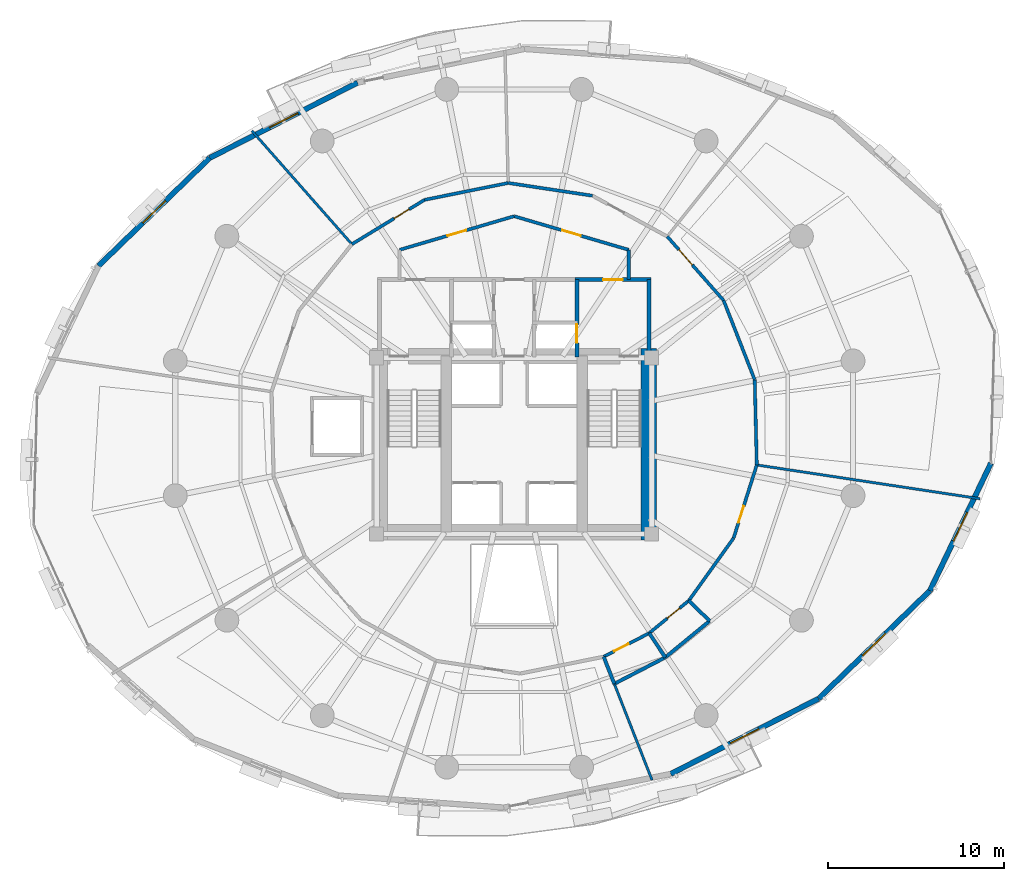
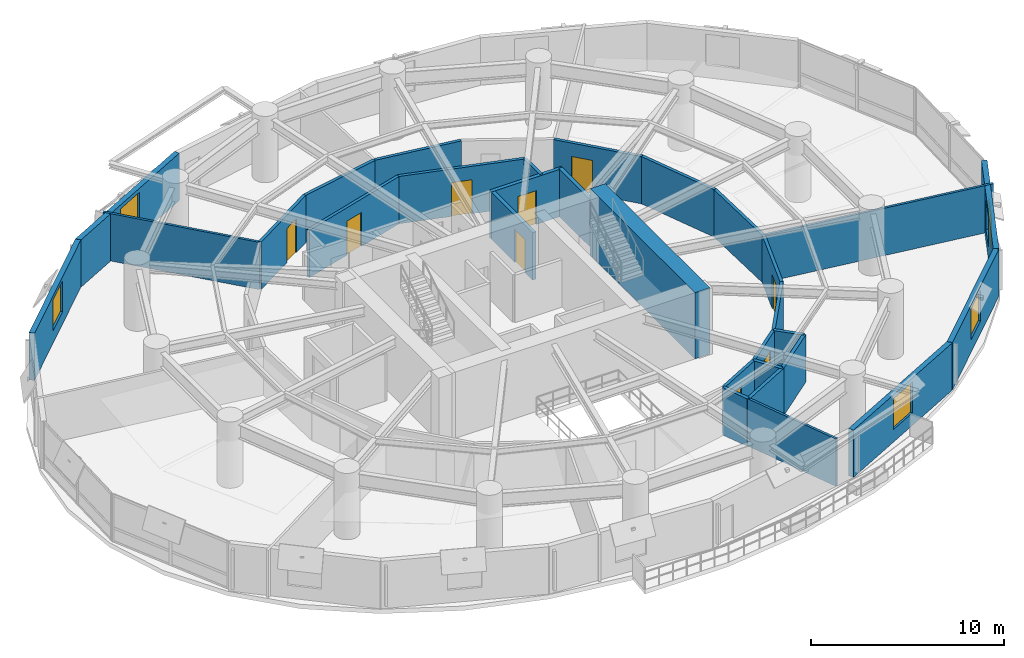
# One storey, part 13 of 17: 30 walls, 9 doors, 5 windows, 14 openings.
"""IFC4 building model written with IfcOpenShell, lengths in metres."""

from ifc_helpers import new_model, si_unit, direction, frame, frame_2d, origin, place, context, subcontext, project, spatial, rectangle, extrude, material, layer, layer_set, type_object, element, fill, save


model = new_model("IFC4")

# Units and contexts
model_context = context("Model", 3, precision=1e-05, world=origin(), true_north=direction((0.0, 1.0)))
body_context = subcontext(model_context, "Body", "Model", "MODEL_VIEW")
ifc_project = project(units=[si_unit("LENGTHUNIT", "METRE"), si_unit("AREAUNIT", "SQUARE_METRE"), si_unit("VOLUMEUNIT", "CUBIC_METRE"), si_unit("PLANEANGLEUNIT", "RADIAN"), si_unit("MASSUNIT", "GRAM", prefix="KILO"), si_unit("THERMODYNAMICTEMPERATUREUNIT", "KELVIN"), si_unit("POWERUNIT", "WATT")], contexts=[model_context])

# Site, building, storey
site_placement = place(None, origin())
site = spatial("IfcSite", under=ifc_project, at=site_placement, CompositionType="ELEMENT")
building_placement = place(site_placement, origin())
building = spatial("IfcBuilding", under=site, at=building_placement, Name="Ocrelia Relay Tower", CompositionType="ELEMENT")
storey_placement = place(building_placement, frame((0.0, 0.0, 80.39990234375)))
storey = spatial("IfcBuildingStorey", under=building, at=storey_placement, Name="L18", CompositionType="ELEMENT", Elevation=80.39990234375)

# Walls
ifc_material_1 = material(Name="Concrete C70/85", Category="concrete")
ifc_layer_1 = layer(ifc_material_1, 0.89990234375, Name="Concrete C70/85")
ifc_layer_set_1 = layer_set([ifc_layer_1], Name="Concrete C70/85")
wall_type_1 = type_object("IfcWallType", Name="CW-CORE-900", PredefinedType="SHEAR", material=ifc_layer_set_1)
wall_1_placement = place(storey_placement, frame((41.637939453125, 19.662109375, 0.0), z_axis=(0.0, 0.0, 1.0), x_axis=(0.0, 1.0, 0.0)))
element("IfcWall", 1, at=wall_1_placement, inside=storey, type_object=wall_type_1, Name="L18 Core Shear Wall E", PredefinedType="SHEAR", context=body_context, shape_type="SweptSolid", body=[
    extrude(rectangle(XDim=10.8759765625, YDim=0.89990234375, at=frame_2d((5.43798828125, 0.0))), origin(), (0.0, 0.0, 1.0), 4.2001953125),
])
ifc_material_2 = material(Name="Gypsum Fireboard Partition EI60", Category="gypsum")
ifc_layer_2 = layer(ifc_material_2, 0.179931640625, Name="Gypsum Fireboard Partition EI60")
ifc_layer_set_2 = layer_set([ifc_layer_2], Name="Gypsum Fireboard Partition EI60")
wall_type_2 = type_object("IfcWallType", Name="W-CORR-EI60-180", PredefinedType="PARTITIONING", material=ifc_layer_set_2)
wall_2_placement = place(storey_placement, frame((40.5, 36.122802734375, 0.0), z_axis=(0.0, 0.0, 1.0), x_axis=(0.0, -1.0, 0.0)))
element("IfcWall", 2, at=wall_2_placement, inside=storey, type_object=wall_type_2, Name="L18 Smoke Lobby East Return", PredefinedType="PARTITIONING", context=body_context, shape_type="SweptSolid", body=[
    extrude(rectangle(XDim=1.69287109375, YDim=0.179931640625, at=frame_2d((0.846435546875, 0.0))), origin(), (0.0, 0.0, 1.0), 3.0),
])

# Wall, opening, door
wall_3_placement = place(storey_placement, frame((27.5, 36.122802734375, 0.0), z_axis=(0.0, 0.0, 1.0), x_axis=(0.959546654541, 0.281549671923, 0.0)))
wall_3 = element("IfcWall", 3, at=wall_3_placement, inside=storey, type_object=wall_type_2, Name="L18 North Smoke Lobby W Screen Wall", PredefinedType="PARTITIONING", context=body_context, shape_type="SweptSolid", body=[
    extrude(rectangle(XDim=6.77392578125, YDim=0.179931640625, at=frame_2d((3.386962890625, 0.0))), origin(), (0.0, 0.0, 1.0), 3.0),
])
opening_1_placement = place(wall_3_placement, frame((2.8369140625, 0.0, 0.0)))
opening_1 = element("IfcOpeningElement", 4, at=opening_1_placement, cuts=wall_3, Name="Opening D-FD60", PredefinedType="OPENING", context=body_context, shape_type="SweptSolid", body=[
    extrude(rectangle(XDim=1.10009765625, YDim=2.14990234375, at=frame_2d((0.550048828125, 1.074951171875))), frame((0.0, 0.10009765625, 0.0), z_axis=(0.0, -1.0, 0.0), x_axis=(1.0, 0.0, 0.0)), (0.0, 0.0, 1.0), 0.199951171875),
])
ifc_material_3 = material(Name="Timber-core 60-min acoustic fire door", Category="wood")
door_type_1 = type_object("IfcDoorType", Name="DR-LOBBY-FD60-1100", OperationType="NOTDEFINED", PredefinedType="DOOR", material=ifc_material_3)
door_1_placement = place(opening_1_placement, origin())
door_1 = element("IfcDoor", 5, at=door_1_placement, inside=storey, type_object=door_type_1, Name="L18 North Smoke Lobby W Fire Door", OperationType="SINGLE_SWING_RIGHT", OverallHeight=2.14990234375, OverallWidth=1.10009765625, PredefinedType="DOOR", context=body_context, shape_type="SweptSolid", body=[
    extrude(rectangle(XDim=1.10009765625, YDim=2.14990234375, at=frame_2d((0.550048828125, 1.074951171875))), frame((0.0, 0.02490234375, 0.0), z_axis=(0.0, -1.0, 0.0), x_axis=(1.0, 0.0, 0.0)), (0.0, 0.0, 1.0), 0.050048828125),
])
fill(opening_1, door_1)

wall_4_placement = place(storey_placement, frame((34.0, 38.030029296875, 0.0), z_axis=(0.0, 0.0, 1.0), x_axis=(0.959546654541, -0.281549671923, 0.0)))
wall_4 = element("IfcWall", 6, at=wall_4_placement, inside=storey, type_object=wall_type_2, Name="L18 North Smoke Lobby E Screen Wall", PredefinedType="PARTITIONING", context=body_context, shape_type="SweptSolid", body=[
    extrude(rectangle(XDim=6.77392578125, YDim=0.179931640625, at=frame_2d((3.386962890625, 0.0))), origin(), (0.0, 0.0, 1.0), 3.0),
])
opening_2_placement = place(wall_4_placement, frame((2.8369140625, 0.0, 0.0)))
opening_2 = element("IfcOpeningElement", 7, at=opening_2_placement, cuts=wall_4, Name="Opening D-FD60", PredefinedType="OPENING", context=body_context, shape_type="SweptSolid", body=[
    extrude(rectangle(XDim=1.10009765625, YDim=2.14990234375, at=frame_2d((0.550048828125, 1.074951171875))), frame((0.0, 0.10009765625, 0.0), z_axis=(0.0, -1.0, 0.0), x_axis=(1.0, 0.0, 0.0)), (0.0, 0.0, 1.0), 0.199951171875),
])
door_2_placement = place(opening_2_placement, origin())
door_2 = element("IfcDoor", 8, at=door_2_placement, inside=storey, type_object=door_type_1, Name="L18 North Smoke Lobby E Fire Door", OperationType="SINGLE_SWING_LEFT", OverallHeight=2.14990234375, OverallWidth=1.10009765625, PredefinedType="DOOR", context=body_context, shape_type="SweptSolid", body=[
    extrude(rectangle(XDim=1.10009765625, YDim=2.14990234375, at=frame_2d((0.550048828125, 1.074951171875))), frame((0.0, 0.02490234375, 0.0), z_axis=(0.0, -1.0, 0.0), x_axis=(1.0, 0.0, 0.0)), (0.0, 0.0, 1.0), 0.050048828125),
])
fill(opening_2, door_2)

wall_5_placement = place(storey_placement, frame((39.0791015625, 13.039794921875, 0.0), z_axis=(0.0, 0.0, 1.0), x_axis=(0.887821822761, 0.460187365134, 0.0)))
wall_5 = element("IfcWall", 9, at=wall_5_placement, inside=storey, type_object=wall_type_2, Name="L18 Staff Toilet Corridor Wall", PredefinedType="PARTITIONING", context=body_context, shape_type="SweptSolid", body=[
    extrude(rectangle(XDim=2.909912109375, YDim=0.179931640625, at=frame_2d((1.455078125, 0.0))), origin(), (0.0, 0.0, 1.0), 3.0),
])
opening_3_placement = place(wall_5_placement, frame((0.6689453125, 0.0, 0.0)))
opening_3 = element("IfcOpeningElement", 10, at=opening_3_placement, cuts=wall_5, Name="Opening D-WC92", PredefinedType="OPENING", context=body_context, shape_type="SweptSolid", body=[
    extrude(rectangle(XDim=0.919921875, YDim=2.10009765625, at=frame_2d((0.4599609375, 1.050048828125))), frame((0.0, 0.10009765625, 0.0), z_axis=(0.0, -1.0, 0.0), x_axis=(1.0, 0.0, 0.0)), (0.0, 0.0, 1.0), 0.199951171875),
])
ifc_material_4 = material(Name="Laminate washroom door", Category="wood")
door_type_2 = type_object("IfcDoorType", Name="DR-WC-920", OperationType="NOTDEFINED", PredefinedType="DOOR", material=ifc_material_4)
door_3_placement = place(opening_3_placement, origin())
door_3 = element("IfcDoor", 11, at=door_3_placement, inside=storey, type_object=door_type_2, Name="L18 Staff Toilet Door", OperationType="SINGLE_SWING_RIGHT", OverallHeight=2.10009765625, OverallWidth=0.919921875, PredefinedType="DOOR", context=body_context, shape_type="SweptSolid", body=[
    extrude(rectangle(XDim=0.919921875, YDim=2.10009765625, at=frame_2d((0.4599609375, 1.050048828125))), frame((0.0, 0.02490234375, 0.0), z_axis=(0.0, -1.0, 0.0), x_axis=(1.0, 0.0, 0.0)), (0.0, 0.0, 1.0), 0.050048828125),
])
fill(opening_3, door_3)

wall_6_placement = place(storey_placement, frame((41.66259765625, 14.37890625, 0.0), z_axis=(0.0, 0.0, 1.0), x_axis=(0.772733602253, 0.634730478194, 0.0)))
wall_6 = element("IfcWall", 12, at=wall_6_placement, inside=storey, type_object=wall_type_2, Name="L18 Accessible Toilet Corridor Wall", PredefinedType="PARTITIONING", context=body_context, shape_type="SweptSolid", body=[
    extrude(rectangle(XDim=2.91015625, YDim=0.179931640625, at=frame_2d((1.455078125, 0.0))), origin(), (0.0, 0.0, 1.0), 3.0),
])
opening_4_placement = place(wall_6_placement, frame((1.321044921875, 0.0, 0.0)))
opening_4 = element("IfcOpeningElement", 13, at=opening_4_placement, cuts=wall_6, Name="Opening D-WC92", PredefinedType="OPENING", context=body_context, shape_type="SweptSolid", body=[
    extrude(rectangle(XDim=0.919921875, YDim=2.10009765625, at=frame_2d((0.4599609375, 1.050048828125))), frame((0.0, 0.10009765625, 0.0), z_axis=(0.0, -1.0, 0.0), x_axis=(1.0, 0.0, 0.0)), (0.0, 0.0, 1.0), 0.199951171875),
])
door_4_placement = place(opening_4_placement, origin())
door_4 = element("IfcDoor", 14, at=door_4_placement, inside=storey, type_object=door_type_2, Name="L18 Accessible Toilet Door", OperationType="SINGLE_SWING_LEFT", OverallHeight=2.10009765625, OverallWidth=0.919921875, PredefinedType="DOOR", context=body_context, shape_type="SweptSolid", body=[
    extrude(rectangle(XDim=0.919921875, YDim=2.10009765625, at=frame_2d((0.4599609375, 1.050048828125))), frame((0.0, 0.02490234375, 0.0), z_axis=(0.0, -1.0, 0.0), x_axis=(1.0, 0.0, 0.0)), (0.0, 0.0, 1.0), 0.050048828125),
])
fill(opening_4, door_4)

# Wall
wall_7_placement = place(storey_placement, frame((43.911376953125, 16.22607421875, 0.0), z_axis=(0.0, 0.0, 1.0), x_axis=(0.582128747438, 0.813096624889, 0.0)))
element("IfcWall", 15, at=wall_7_placement, inside=storey, type_object=wall_type_2, Name="L18 Fiber Patch Store Corridor Partition 1", PredefinedType="PARTITIONING", context=body_context, shape_type="SweptSolid", body=[
    extrude(rectangle(XDim=4.35498046875, YDim=0.179931640625, at=frame_2d((2.177490234375, 0.0))), origin(), (0.0, 0.0, 1.0), 3.0),
])

# Wall, opening, door
wall_8_placement = place(storey_placement, frame((46.446533203125, 19.76708984375, 0.0), z_axis=(0.0, 0.0, 1.0), x_axis=(0.302370576815, 0.95319045016, 0.0)))
wall_8 = element("IfcWall", 16, at=wall_8_placement, inside=storey, type_object=wall_type_2, Name="L18 Fiber Patch Store Corridor Partition 2", PredefinedType="PARTITIONING", context=body_context, shape_type="SweptSolid", body=[
    extrude(rectangle(XDim=4.355224609375, YDim=0.179931640625, at=frame_2d((2.177734375, 0.0))), origin(), (0.0, 0.0, 1.0), 3.0),
])
opening_5_placement = place(wall_8_placement, frame((0.913818359375, 0.0, 0.0)))
opening_5 = element("IfcOpeningElement", 17, at=opening_5_placement, cuts=wall_8, Name="Opening D-RM100", PredefinedType="OPENING", context=body_context, shape_type="SweptSolid", body=[
    extrude(rectangle(XDim=1.0, YDim=2.14990234375, at=frame_2d((0.5, 1.074951171875))), frame((0.0, 0.10009765625, 0.0), z_axis=(0.0, -1.0, 0.0), x_axis=(1.0, 0.0, 0.0)), (0.0, 0.0, 1.0), 0.199951171875),
])
ifc_material_5 = material(Name="Acoustic oak veneer fire door", Category="wood")
door_type_3 = type_object("IfcDoorType", Name="DR-ROOM-FD60-1000", OperationType="NOTDEFINED", PredefinedType="DOOR", material=ifc_material_5)
door_5_placement = place(opening_5_placement, origin())
door_5 = element("IfcDoor", 18, at=door_5_placement, inside=storey, type_object=door_type_3, Name="L18 Fiber Patch Store Entrance Door", OperationType="SINGLE_SWING_RIGHT", OverallHeight=2.14990234375, OverallWidth=1.0, PredefinedType="DOOR", context=body_context, shape_type="SweptSolid", body=[
    extrude(rectangle(XDim=1.0, YDim=2.14990234375, at=frame_2d((0.5, 1.074951171875))), frame((0.0, 0.02490234375, 0.0), z_axis=(0.0, -1.0, 0.0), x_axis=(1.0, 0.0, 0.0)), (0.0, 0.0, 1.0), 0.050048828125),
])
fill(opening_5, door_5)

# Walls
for number, where, z_axis, x_axis, name in (
    (19, (47.763427734375, 23.91845703125, 0.0), (0.0, 0.0, 1.0), (-0.024391609318, 0.999702480439, 0.0), "L18 Colocation Data Hall A Corridor Partition 1"),
    (20, (47.6455078125, 28.75146484375, 0.0), (0.0, 0.0, 1.0), (-0.364921025816, 0.931038476604, 0.0), "L18 Colocation Data Hall A Corridor Partition 2"),
):
    element("IfcWall", number, at=place(storey_placement, frame(where, z_axis=z_axis, x_axis=x_axis)), inside=storey, type_object=wall_type_2, Name=name, PredefinedType="PARTITIONING", context=body_context, shape_type="SweptSolid", body=[
        extrude(rectangle(XDim=4.83447265625, YDim=0.179931640625, at=frame_2d((2.417236328125, 0.0))), origin(), (0.0, 0.0, 1.0), 3.0),
    ])

# Wall, opening, door
wall_9_placement = place(storey_placement, frame((45.88134765625, 33.25244140625, 0.0), z_axis=(0.0, 0.0, 1.0), x_axis=(-0.661295879948, 0.750125162332, 0.0)))
wall_9 = element("IfcWall", 21, at=wall_9_placement, inside=storey, type_object=wall_type_2, Name="L18 Colocation Data Hall A Corridor Partition 3", PredefinedType="PARTITIONING", context=body_context, shape_type="SweptSolid", body=[
    extrude(rectangle(XDim=4.83447265625, YDim=0.179931640625, at=frame_2d((2.417236328125, 0.0))), origin(), (0.0, 0.0, 1.0), 3.0),
])
opening_6_placement = place(wall_9_placement, frame((2.688232421875, 0.0, 0.0)))
opening_6 = element("IfcOpeningElement", 22, at=opening_6_placement, cuts=wall_9, Name="Opening D-RM115", PredefinedType="OPENING", context=body_context, shape_type="SweptSolid", body=[
    extrude(rectangle(XDim=1.14990234375, YDim=2.14990234375, at=frame_2d((0.574951171875, 1.074951171875))), frame((0.0, 0.10009765625, 0.0), z_axis=(0.0, -1.0, 0.0), x_axis=(1.0, 0.0, 0.0)), (0.0, 0.0, 1.0), 0.199951171875),
])
ifc_material_6 = material(Name="Wide acoustic oak veneer fire door", Category="wood")
door_type_4 = type_object("IfcDoorType", Name="DR-ROOM-1150", OperationType="NOTDEFINED", PredefinedType="DOOR", material=ifc_material_6)
door_6_placement = place(opening_6_placement, origin())
door_6 = element("IfcDoor", 23, at=door_6_placement, inside=storey, type_object=door_type_4, Name="L18 Colocation Data Hall A Entrance Door", OperationType="SINGLE_SWING_LEFT", OverallHeight=2.14990234375, OverallWidth=1.14990234375, PredefinedType="DOOR", context=body_context, shape_type="SweptSolid", body=[
    extrude(rectangle(XDim=1.14990234375, YDim=2.14990234375, at=frame_2d((0.574951171875, 1.074951171875))), frame((0.0, 0.02490234375, 0.0), z_axis=(0.0, -1.0, 0.0), x_axis=(1.0, 0.0, 0.0)), (0.0, 0.0, 1.0), 0.050048828125),
])
fill(opening_6, door_6)

# Walls
for number, where, z_axis, x_axis, name in (
    (24, (38.43994140625, 39.19287109375, 0.0), (0.0, 0.0, 1.0), (-0.988756719699, 0.149533104195, 0.0), "L18 Equipment Staging Store Corridor Partition 2"),
    (25, (33.659912109375, 39.915771484375, 0.0), (0.0, 0.0, 1.0), (-0.980270628178, -0.197660050419, 0.0), "L18 Archive Vault Store Corridor Partition 1"),
):
    element("IfcWall", number, at=place(storey_placement, frame(where, z_axis=z_axis, x_axis=x_axis)), inside=storey, type_object=wall_type_2, Name=name, PredefinedType="PARTITIONING", context=body_context, shape_type="SweptSolid", body=[
        extrude(rectangle(XDim=4.83447265625, YDim=0.179931640625, at=frame_2d((2.417236328125, 0.0))), origin(), (0.0, 0.0, 1.0), 3.0),
    ])

# Wall, opening, door
wall_10_placement = place(storey_placement, frame((28.9208984375, 38.960205078125, 0.0), z_axis=(0.0, 0.0, 1.0), x_axis=(-0.853551355644, -0.521008717085, 0.0)))
wall_10 = element("IfcWall", 26, at=wall_10_placement, inside=storey, type_object=wall_type_2, Name="L18 Archive Vault Store Corridor Partition 2", PredefinedType="PARTITIONING", context=body_context, shape_type="SweptSolid", body=[
    extrude(rectangle(XDim=4.83447265625, YDim=0.179931640625, at=frame_2d((2.417236328125, 0.0))), origin(), (0.0, 0.0, 1.0), 3.0),
])
opening_7_placement = place(wall_10_placement, frame((1.03369140625, 0.0, 0.0)))
opening_7 = element("IfcOpeningElement", 27, at=opening_7_placement, cuts=wall_10, Name="Opening D-RM100", PredefinedType="OPENING", context=body_context, shape_type="SweptSolid", body=[
    extrude(rectangle(XDim=1.0, YDim=2.14990234375, at=frame_2d((0.5, 1.074951171875))), frame((0.0, 0.10009765625, 0.0), z_axis=(0.0, -1.0, 0.0), x_axis=(1.0, 0.0, 0.0)), (0.0, 0.0, 1.0), 0.199951171875),
])
door_7_placement = place(opening_7_placement, origin())
door_7 = element("IfcDoor", 28, at=door_7_placement, inside=storey, type_object=door_type_3, Name="L18 Archive Vault Store Entrance Door", OperationType="SINGLE_SWING_LEFT", OverallHeight=2.14990234375, OverallWidth=1.0, PredefinedType="DOOR", context=body_context, shape_type="SweptSolid", body=[
    extrude(rectangle(XDim=1.0, YDim=2.14990234375, at=frame_2d((0.5, 1.074951171875))), frame((0.0, 0.02490234375, 0.0), z_axis=(0.0, -1.0, 0.0), x_axis=(1.0, 0.0, 0.0)), (0.0, 0.0, 1.0), 0.050048828125),
])
fill(opening_7, door_7)

# Wall, opening, window
ifc_material_7 = material(Name="Precast concrete C40/50 with oxide terracotta", Category="masonry")
ifc_layer_3 = layer(ifc_material_7, 0.300048828125, Name="Precast concrete C40/50 with oxide terracotta")
ifc_layer_set_3 = layer_set([ifc_layer_3], Name="Precast concrete C40/50 with oxide terracotta")
wall_type_3 = type_object("IfcWallType", Name="W-EXT-TERR-300", PredefinedType="SOLIDWALL", material=ifc_layer_set_3)
wall_11_placement = place(storey_placement, frame((25.12158203125, 45.6083984375, 0.0), z_axis=(0.0, 0.0, 1.0), x_axis=(-0.891142535662, -0.453723463284, 0.0)))
wall_11 = element("IfcWall", 29, at=wall_11_placement, inside=storey, type_object=wall_type_3, Name="L18 Oxide Terracotta Facade Wall 06", PredefinedType="SOLIDWALL", context=body_context, shape_type="SweptSolid", body=[
    extrude(rectangle(XDim=9.418701171875, YDim=0.300048828125, at=frame_2d((4.70947265625, 0.0))), origin(), (0.0, 0.0, 1.0), 3.0),
])
opening_8_placement = place(wall_11_placement, frame((3.80908203125, 0.0, 0.800048828125)))
opening_8 = element("IfcOpeningElement", 30, at=opening_8_placement, cuts=wall_11, Name="Opening W-02", PredefinedType="OPENING", context=body_context, shape_type="SweptSolid", body=[
    extrude(rectangle(XDim=1.800048828125, YDim=1.949951171875, at=frame_2d((0.89990234375, 0.97509765625))), frame((0.0, 0.16015625, 0.0), z_axis=(0.0, -1.0, 0.0), x_axis=(1.0, 0.0, 0.0)), (0.0, 0.0, 1.0), 0.320068359375),
])
ifc_material_8 = material(Name="Clear double-glazed low-E glass", Category="glass")
window_type = type_object("IfcWindowType", Name="WIN-Z1-1800x2100", PartitioningType="DOUBLE_PANEL_VERTICAL", PredefinedType="WINDOW", material=ifc_material_8)
window_1_placement = place(opening_8_placement, origin())
window_1 = element("IfcWindow", 31, at=window_1_placement, inside=storey, type_object=window_type, Name="L18 Facade Module Window 06", OverallHeight=1.949951171875, OverallWidth=1.800048828125, PartitioningType="SINGLE_PANEL", PredefinedType="WINDOW", context=body_context, shape_type="SweptSolid", body=[
    extrude(rectangle(XDim=1.800048828125, YDim=1.949951171875, at=frame_2d((0.89990234375, 0.97509765625))), frame((0.0, 0.030029296875, 0.0), z_axis=(0.0, -1.0, 0.0), x_axis=(1.0, 0.0, 0.0)), (0.0, 0.0, 1.0), 0.06005859375),
])
fill(opening_8, window_1)

wall_12_placement = place(storey_placement, frame((16.728271484375, 41.3349609375, 0.0), z_axis=(0.0, 0.0, 1.0), x_axis=(-0.717674966715, -0.696378232105, 0.0)))
wall_12 = element("IfcWall", 32, at=wall_12_placement, inside=storey, type_object=wall_type_3, Name="L18 Oxide Terracotta Facade Wall 07", PredefinedType="SOLIDWALL", context=body_context, shape_type="SweptSolid", body=[
    extrude(rectangle(XDim=8.792724609375, YDim=0.300048828125, at=frame_2d((4.396484375, 0.0))), origin(), (0.0, 0.0, 1.0), 3.0),
])
opening_9_placement = place(wall_12_placement, frame((3.49609375, 0.0, 0.800048828125)))
opening_9 = element("IfcOpeningElement", 33, at=opening_9_placement, cuts=wall_12, Name="Opening W-02", PredefinedType="OPENING", context=body_context, shape_type="SweptSolid", body=[
    extrude(rectangle(XDim=1.800048828125, YDim=1.949951171875, at=frame_2d((0.89990234375, 0.97509765625))), frame((0.0, 0.16015625, 0.0), z_axis=(0.0, -1.0, 0.0), x_axis=(1.0, 0.0, 0.0)), (0.0, 0.0, 1.0), 0.320068359375),
])
window_2_placement = place(opening_9_placement, origin())
window_2 = element("IfcWindow", 34, at=window_2_placement, inside=storey, type_object=window_type, Name="L18 Facade Module Window 07", OverallHeight=1.949951171875, OverallWidth=1.800048828125, PartitioningType="SINGLE_PANEL", PredefinedType="WINDOW", context=body_context, shape_type="SweptSolid", body=[
    extrude(rectangle(XDim=1.800048828125, YDim=1.949951171875, at=frame_2d((0.89990234375, 0.97509765625))), frame((0.0, 0.030029296875, 0.0), z_axis=(0.0, -1.0, 0.0), x_axis=(1.0, 0.0, 0.0)), (0.0, 0.0, 1.0), 0.06005859375),
])
fill(opening_9, window_2)

wall_13_placement = place(storey_placement, frame((42.87841796875, 6.3916015625, 0.0), z_axis=(0.0, 0.0, 1.0), x_axis=(0.891142535662, 0.453723463284, 0.0)))
wall_13 = element("IfcWall", 35, at=wall_13_placement, inside=storey, type_object=wall_type_3, Name="L18 Oxide Terracotta Facade Wall 15", PredefinedType="SOLIDWALL", context=body_context, shape_type="SweptSolid", body=[
    extrude(rectangle(XDim=9.418701171875, YDim=0.300048828125, at=frame_2d((4.70947265625, 0.0))), origin(), (0.0, 0.0, 1.0), 3.0),
])
opening_10_placement = place(wall_13_placement, frame((3.80908203125, 0.0, 0.800048828125)))
opening_10 = element("IfcOpeningElement", 36, at=opening_10_placement, cuts=wall_13, Name="Opening W-02", PredefinedType="OPENING", context=body_context, shape_type="SweptSolid", body=[
    extrude(rectangle(XDim=1.800048828125, YDim=1.949951171875, at=frame_2d((0.89990234375, 0.97509765625))), frame((0.0, 0.16015625, 0.0), z_axis=(0.0, -1.0, 0.0), x_axis=(1.0, 0.0, 0.0)), (0.0, 0.0, 1.0), 0.320068359375),
])
window_3_placement = place(opening_10_placement, origin())
window_3 = element("IfcWindow", 37, at=window_3_placement, inside=storey, type_object=window_type, Name="L18 Facade Module Window 15", OverallHeight=1.949951171875, OverallWidth=1.800048828125, PartitioningType="SINGLE_PANEL", PredefinedType="WINDOW", context=body_context, shape_type="SweptSolid", body=[
    extrude(rectangle(XDim=1.800048828125, YDim=1.949951171875, at=frame_2d((0.89990234375, 0.97509765625))), frame((0.0, 0.030029296875, 0.0), z_axis=(0.0, -1.0, 0.0), x_axis=(1.0, 0.0, 0.0)), (0.0, 0.0, 1.0), 0.06005859375),
])
fill(opening_10, window_3)

wall_14_placement = place(storey_placement, frame((51.271728515625, 10.6650390625, 0.0), z_axis=(0.0, 0.0, 1.0), x_axis=(0.717674966715, 0.696378232105, 0.0)))
wall_14 = element("IfcWall", 38, at=wall_14_placement, inside=storey, type_object=wall_type_3, Name="L18 Oxide Terracotta Facade Wall 16", PredefinedType="SOLIDWALL", context=body_context, shape_type="SweptSolid", body=[
    extrude(rectangle(XDim=8.792724609375, YDim=0.300048828125, at=frame_2d((4.396484375, 0.0))), origin(), (0.0, 0.0, 1.0), 3.0),
])
opening_11_placement = place(wall_14_placement, frame((3.49609375, 0.0, 0.800048828125)))
opening_11 = element("IfcOpeningElement", 39, at=opening_11_placement, cuts=wall_14, Name="Opening W-02", PredefinedType="OPENING", context=body_context, shape_type="SweptSolid", body=[
    extrude(rectangle(XDim=1.800048828125, YDim=1.949951171875, at=frame_2d((0.89990234375, 0.97509765625))), frame((0.0, 0.16015625, 0.0), z_axis=(0.0, -1.0, 0.0), x_axis=(1.0, 0.0, 0.0)), (0.0, 0.0, 1.0), 0.320068359375),
])
window_4_placement = place(opening_11_placement, origin())
window_4 = element("IfcWindow", 40, at=window_4_placement, inside=storey, type_object=window_type, Name="L18 Facade Module Window 16", OverallHeight=1.949951171875, OverallWidth=1.800048828125, PartitioningType="SINGLE_PANEL", PredefinedType="WINDOW", context=body_context, shape_type="SweptSolid", body=[
    extrude(rectangle(XDim=1.800048828125, YDim=1.949951171875, at=frame_2d((0.89990234375, 0.97509765625))), frame((0.0, 0.030029296875, 0.0), z_axis=(0.0, -1.0, 0.0), x_axis=(1.0, 0.0, 0.0)), (0.0, 0.0, 1.0), 0.06005859375),
])
fill(opening_11, window_4)

wall_15_placement = place(storey_placement, frame((57.58203125, 16.7880859375, 0.0), z_axis=(0.0, 0.0, 1.0), x_axis=(0.432090786928, 0.901830112522, 0.0)))
wall_15 = element("IfcWall", 41, at=wall_15_placement, inside=storey, type_object=wall_type_3, Name="L18 Oxide Terracotta Facade Wall 17", PredefinedType="SOLIDWALL", context=body_context, shape_type="SweptSolid", body=[
    extrude(rectangle(XDim=8.021728515625, YDim=0.300048828125, at=frame_2d((4.0107421875, 0.0))), origin(), (0.0, 0.0, 1.0), 3.0),
])
opening_12_placement = place(wall_15_placement, frame((3.111083984375, 0.0, 0.800048828125)))
opening_12 = element("IfcOpeningElement", 42, at=opening_12_placement, cuts=wall_15, Name="Opening W-02", PredefinedType="OPENING", context=body_context, shape_type="SweptSolid", body=[
    extrude(rectangle(XDim=1.800048828125, YDim=1.949951171875, at=frame_2d((0.89990234375, 0.97509765625))), frame((0.0, 0.16015625, 0.0), z_axis=(0.0, -1.0, 0.0), x_axis=(1.0, 0.0, 0.0)), (0.0, 0.0, 1.0), 0.320068359375),
])
window_5_placement = place(opening_12_placement, origin())
window_5 = element("IfcWindow", 43, at=window_5_placement, inside=storey, type_object=window_type, Name="L18 Facade Module Window 17", OverallHeight=1.949951171875, OverallWidth=1.800048828125, PartitioningType="SINGLE_PANEL", PredefinedType="WINDOW", context=body_context, shape_type="SweptSolid", body=[
    extrude(rectangle(XDim=1.800048828125, YDim=1.949951171875, at=frame_2d((0.89990234375, 0.97509765625))), frame((0.0, 0.030029296875, 0.0), z_axis=(0.0, -1.0, 0.0), x_axis=(1.0, 0.0, 0.0)), (0.0, 0.0, 1.0), 0.06005859375),
])
fill(opening_12, window_5)

# Wall, opening, door
ifc_material_9 = material(Name="Concrete C50/60", Category="concrete")
ifc_layer_4 = layer(ifc_material_9, 0.219970703125, Name="Concrete C50/60")
ifc_layer_set_4 = layer_set([ifc_layer_4], Name="Concrete C50/60")
wall_type_4 = type_object("IfcWallType", Name="W-FFL-EI120-220", PredefinedType="SOLIDWALL", material=ifc_layer_set_4)
wall_16_placement = place(storey_placement, frame((37.56005859375, 30.050048828125, 0.0), z_axis=(0.0, 0.0, 1.0), x_axis=(0.0, 1.0, 0.0)))
wall_16 = element("IfcWall", 44, at=wall_16_placement, inside=storey, type_object=wall_type_4, Name="L18 E Fire Service Lift Lobby West Wall", PredefinedType="SOLIDWALL", context=body_context, shape_type="SweptSolid", body=[
    extrude(rectangle(XDim=4.3798828125, YDim=0.219970703125, at=frame_2d((2.18994140625, 0.0))), origin(), (0.0, 0.0, 1.0), 3.0),
])
opening_13_placement = place(wall_16_placement, frame((0.800048828125, 0.0, 0.0)))
opening_13 = element("IfcOpeningElement", 45, at=opening_13_placement, cuts=wall_16, Name="Opening LD-FFL2", PredefinedType="OPENING", context=body_context, shape_type="SweptSolid", body=[
    extrude(rectangle(XDim=1.050048828125, YDim=2.10009765625, at=frame_2d((0.52490234375, 1.050048828125))), frame((0.0, 0.1201171875, 0.0), z_axis=(0.0, -1.0, 0.0), x_axis=(1.0, 0.0, 0.0)), (0.0, 0.0, 1.0), 0.239990234375),
])
ifc_material_10 = material(Name="Brushed stainless steel S355 lift landing door", Category="steel")
door_type_5 = type_object("IfcDoorType", Name="DR-LIFT-LAND-1050", OperationType="DOUBLE_DOOR_SLIDING", PredefinedType="USERDEFINED", material=ifc_material_10)
door_8_placement = place(opening_13_placement, origin())
door_8 = element("IfcDoor", 46, at=door_8_placement, inside=storey, type_object=door_type_5, Name="L18 Firefighting Lift FFL2 Sliding Landing Door", ObjectType="LANDING DOOR", OperationType="DOUBLE_DOOR_SLIDING", OverallHeight=2.10009765625, OverallWidth=1.050048828125, PredefinedType="USERDEFINED", context=body_context, shape_type="SweptSolid", body=[
    extrude(rectangle(XDim=1.050048828125, YDim=2.10009765625, at=frame_2d((0.52490234375, 1.050048828125))), frame((0.0, 0.02490234375, 0.0), z_axis=(0.0, -1.0, 0.0), x_axis=(1.0, 0.0, 0.0)), (0.0, 0.0, 1.0), 0.050048828125),
])
fill(opening_13, door_8)

# Wall
wall_17_placement = place(storey_placement, frame((41.64990234375, 30.050048828125, 0.0), z_axis=(0.0, 0.0, 1.0), x_axis=(0.0, 1.0, 0.0)))
element("IfcWall", 47, at=wall_17_placement, inside=storey, type_object=wall_type_4, Name="L18 E Fire Service Lift Lobby East Wall", PredefinedType="SOLIDWALL", context=body_context, shape_type="SweptSolid", body=[
    extrude(rectangle(XDim=4.3798828125, YDim=0.219970703125, at=frame_2d((2.18994140625, 0.0))), origin(), (0.0, 0.0, 1.0), 3.0),
])

# Wall, opening, door
wall_18_placement = place(storey_placement, frame((37.449951171875, 34.429931640625, 0.0), z_axis=(0.0, 0.0, 1.0), x_axis=(1.0, 0.0, 0.0)))
wall_18 = element("IfcWall", 48, at=wall_18_placement, inside=storey, type_object=wall_type_4, Name="L18 E Fire Service Lift Lobby North Wall", PredefinedType="SOLIDWALL", context=body_context, shape_type="SweptSolid", body=[
    extrude(rectangle(XDim=4.31005859375, YDim=0.219970703125, at=frame_2d((2.155029296875, 0.0))), origin(), (0.0, 0.0, 1.0), 3.0),
])
opening_14_placement = place(wall_18_placement, frame((1.60009765625, 0.0, 0.0)))
opening_14 = element("IfcOpeningElement", 49, at=opening_14_placement, cuts=wall_18, Name="Opening D-FD60", PredefinedType="OPENING", context=body_context, shape_type="SweptSolid", body=[
    extrude(rectangle(XDim=1.10009765625, YDim=2.14990234375, at=frame_2d((0.550048828125, 1.074951171875))), frame((0.0, 0.1201171875, 0.0), z_axis=(0.0, -1.0, 0.0), x_axis=(1.0, 0.0, 0.0)), (0.0, 0.0, 1.0), 0.239990234375),
])
door_9_placement = place(opening_14_placement, origin())
door_9 = element("IfcDoor", 50, at=door_9_placement, inside=storey, type_object=door_type_1, Name="L18 E Fire Service Lift Lobby Exit Door", OperationType="SINGLE_SWING_LEFT", OverallHeight=2.14990234375, OverallWidth=1.10009765625, PredefinedType="DOOR", context=body_context, shape_type="SweptSolid", body=[
    extrude(rectangle(XDim=1.10009765625, YDim=2.14990234375, at=frame_2d((0.550048828125, 1.074951171875))), frame((0.0, 0.02490234375, 0.0), z_axis=(0.0, -1.0, 0.0), x_axis=(1.0, 0.0, 0.0)), (0.0, 0.0, 1.0), 0.050048828125),
])
fill(opening_14, door_9)

# Walls
ifc_material_11 = material(Name="Acoustic Fireboard Partition EI60", Category="gypsum")
ifc_layer_5 = layer(ifc_material_11, 0.139892578125, Name="Acoustic Fireboard Partition EI60")
ifc_layer_set_5 = layer_set([ifc_layer_5], Name="Acoustic Fireboard Partition EI60")
wall_type_5 = type_object("IfcWallType", Name="W-PART-140", PredefinedType="PARTITIONING", material=ifc_layer_set_5)
wall_19_placement = place(storey_placement, frame((39.68115234375, 11.50341796875, 0.0), z_axis=(0.0, 0.0, 1.0), x_axis=(0.364892232806, -0.931049761526, 0.0)))
element("IfcWall", 51, at=wall_19_placement, inside=storey, type_object=wall_type_5, Name="L18 Fiber Patch Store Radial Partition", PredefinedType="PARTITIONING", context=body_context, shape_type="SweptSolid", body=[
    extrude(rectangle(XDim=5.86376953125, YDim=0.139892578125, at=frame_2d((2.931884765625, 0.0))), origin(), (0.0, 0.0, 1.0), 3.0),
])
wall_20_placement = place(storey_placement, frame((47.763427734375, 23.91845703125, 0.0), z_axis=(0.0, 0.0, 1.0), x_axis=(0.988757576529, -0.149527438476, 0.0)))
element("IfcWall", 52, at=wall_20_placement, inside=storey, type_object=wall_type_5, Name="L18 Fiber Patch Store Radial Partition", PredefinedType="PARTITIONING", context=body_context, shape_type="SweptSolid", body=[
    extrude(rectangle(XDim=12.802490234375, YDim=0.139892578125, at=frame_2d((6.4013671875, 0.0))), origin(), (0.0, 0.0, 1.0), 3.0),
])
wall_21_placement = place(storey_placement, frame((24.79443359375, 36.44140625, 0.0), z_axis=(0.0, 0.0, 1.0), x_axis=(-0.661298505741, 0.750122847475, 0.0)))
element("IfcWall", 53, at=wall_21_placement, inside=storey, type_object=wall_type_5, Name="L18 Archive Vault Store Radial Partition", PredefinedType="PARTITIONING", context=body_context, shape_type="SweptSolid", body=[
    extrude(rectangle(XDim=8.57275390625, YDim=0.139892578125, at=frame_2d((4.286376953125, 0.0))), origin(), (0.0, 0.0, 1.0), 3.0),
])
ifc_material_12 = material(Name="Moisture-Resistant Fireboard Chase Wall EI60", Category="gypsum")
ifc_layer_6 = layer(ifc_material_12, 0.199951171875, Name="Moisture-Resistant Fireboard Chase Wall EI60")
ifc_layer_set_6 = layer_set([ifc_layer_6], Name="Moisture-Resistant Fireboard Chase Wall EI60")
wall_type_6 = type_object("IfcWallType", Name="W-PLUMB-200", PredefinedType="PLUMBINGWALL", material=ifc_layer_set_6)
for number, where, z_axis, x_axis, name in (
    (54, (39.0791015625, 13.039794921875, 0.0), (0.0, 0.0, 1.0), (0.364851167545, -0.931065854567, 0.0), "L18 Staff Toilet Plumbing Radial Wall"),
    (55, (41.66259765625, 14.37890625, 0.0), (0.0, 0.0, 1.0), (0.550561839309, -0.834794382526, 0.0), "L18 Staff Toilet Plumbing Radial Wall"),
):
    element("IfcWall", number, at=place(storey_placement, frame(where, z_axis=z_axis, x_axis=x_axis)), inside=storey, type_object=wall_type_6, Name=name, PredefinedType="PLUMBINGWALL", context=body_context, shape_type="SweptSolid", body=[
        extrude(rectangle(XDim=1.650146484375, YDim=0.199951171875, at=frame_2d((0.8251953125, 0.0))), origin(), (0.0, 0.0, 1.0), 3.0),
    ])
wall_22_placement = place(storey_placement, frame((39.68115234375, 11.50341796875, 0.0), z_axis=(0.0, 0.0, 1.0), x_axis=(0.88780674382, 0.46021645519, 0.0)))
element("IfcWall", 56, at=wall_22_placement, inside=storey, type_object=wall_type_6, Name="L18 Staff Toilet Back Plumbing Wall", PredefinedType="PLUMBINGWALL", context=body_context, shape_type="SweptSolid", body=[
    extrude(rectangle(XDim=3.255126953125, YDim=0.199951171875, at=frame_2d((1.62744140625, 0.0))), origin(), (0.0, 0.0, 1.0), 3.0),
])
wall_23_placement = place(storey_placement, frame((43.911376953125, 16.22607421875, 0.0), z_axis=(0.0, 0.0, 1.0), x_axis=(0.711972528302, -0.702207319061, 0.0)))
element("IfcWall", 57, at=wall_23_placement, inside=storey, type_object=wall_type_6, Name="L18 Accessible Toilet Plumbing Radial Wall", PredefinedType="PLUMBINGWALL", context=body_context, shape_type="SweptSolid", body=[
    extrude(rectangle(XDim=1.650146484375, YDim=0.199951171875, at=frame_2d((0.8251953125, 0.0))), origin(), (0.0, 0.0, 1.0), 3.0),
])
wall_24_placement = place(storey_placement, frame((42.571044921875, 13.00146484375, 0.0), z_axis=(0.0, 0.0, 1.0), x_axis=(0.772739393732, 0.634723427466, 0.0)))
element("IfcWall", 58, at=wall_24_placement, inside=storey, type_object=wall_type_6, Name="L18 Accessible Toilet Back Plumbing Wall", PredefinedType="PLUMBINGWALL", context=body_context, shape_type="SweptSolid", body=[
    extrude(rectangle(XDim=3.2548828125, YDim=0.199951171875, at=frame_2d((1.62744140625, 0.0))), origin(), (0.0, 0.0, 1.0), 3.0),
])

save(model, "model.ifc")
